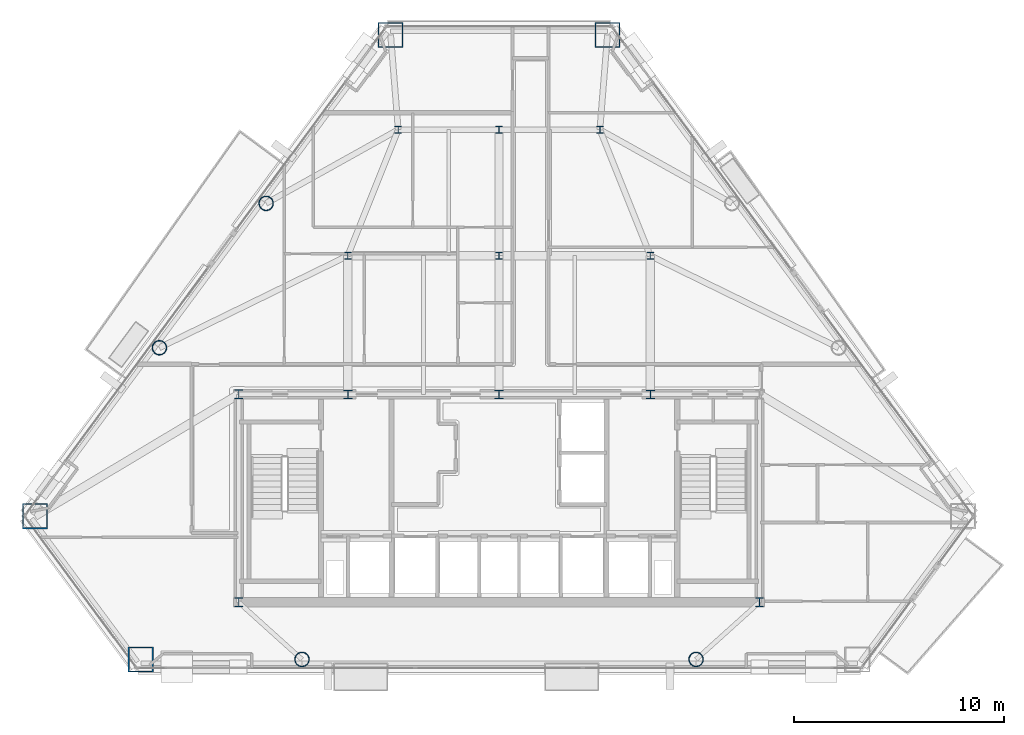
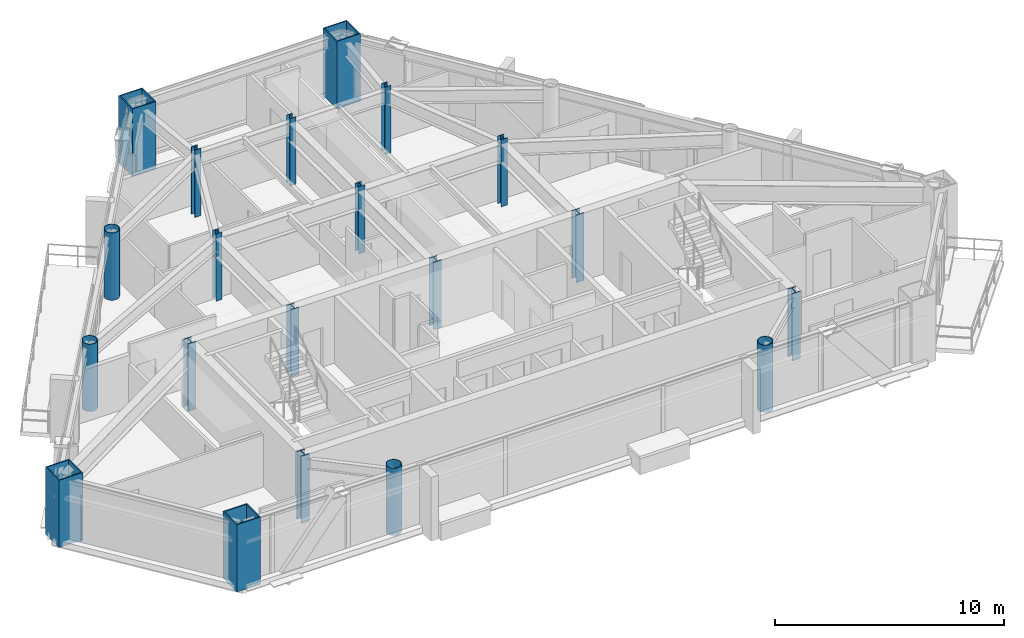
# One storey, part 1 of 13: 20 columns.
"""IFC4 building model written with IfcOpenShell, lengths in metres."""

from ifc_helpers import new_model, si_unit, direction, frame, origin, origin_2d, place, context, subcontext, project, spatial, hollow_rectangle, hollow_circle, i_section, extrude, material, material_profile, profile_set, type_object, element, save


model = new_model("IFC4")

# Units and contexts
model_context = context("Model", 3, precision=1e-05, world=origin(), true_north=direction((0.0, 1.0)))
body_context = subcontext(model_context, "Body", "Model", "MODEL_VIEW")
ifc_project = project(units=[si_unit("LENGTHUNIT", "METRE"), si_unit("AREAUNIT", "SQUARE_METRE"), si_unit("VOLUMEUNIT", "CUBIC_METRE"), si_unit("PLANEANGLEUNIT", "RADIAN"), si_unit("MASSUNIT", "GRAM", prefix="KILO")], contexts=[model_context])

# Site, building, storey
site_placement = place(None, origin())
site = spatial("IfcSite", under=ifc_project, at=site_placement, CompositionType="ELEMENT")
building_placement = place(site_placement, origin())
building = spatial("IfcBuilding", under=site, at=building_placement, Name="Talgorran Terracotta Tower", CompositionType="ELEMENT")
storey_placement = place(building_placement, frame((0.0, 0.0, 132.89990234375)))
storey = spatial("IfcBuildingStorey", under=building, at=storey_placement, Name="L34", CompositionType="ELEMENT", Elevation=132.89990234375)

# Columns
ifc_material_1 = material(Name="Steel S355 (300PLUS)", Category="steel")
ifc_material_profile_1 = material_profile(ifc_material_1, i_section(OverallWidth=0.311279296875, OverallDepth=0.3271484375, WebThickness=0.015625, FlangeThickness=0.02490234375, at=origin_2d()), Name="310UC158")
ifc_profile_set_1 = profile_set([ifc_material_profile_1], Name="Steel S355 (300PLUS)")
column_type_1 = type_object("IfcColumnType", Name="COL_310UC158", PredefinedType="COLUMN", material=ifc_profile_set_1)
for number, where, z_axis, x_axis, name in (
    (1, (-7.199951171875, 2.39990234375, 0.0), (0.0, 0.0, 1.0), (1.0, 0.0, 0.0), "L34 Interior Gravity Column IC1"),
    (2, (0.0, 2.39990234375, 0.0), (0.0, 0.0, 1.0), (1.0, 0.0, 0.0), "L34 Interior Gravity Column IC2"),
    (3, (7.199951171875, 2.39990234375, 0.0), (0.0, 0.0, 1.0), (1.0, 0.0, 0.0), "L34 Interior Gravity Column IC3"),
    (4, (-4.800048828125, 8.39990234375, 0.0), (0.0, 0.0, 1.0), (1.0, 0.0, 0.0), "L34 Interior Gravity Column IC4"),
    (5, (0.0, 8.39990234375, 0.0), (0.0, 0.0, 1.0), (1.0, 0.0, 0.0), "L34 Interior Gravity Column IC5"),
    (6, (4.800048828125, 8.39990234375, 0.0), (0.0, 0.0, 1.0), (1.0, 0.0, 0.0), "L34 Interior Gravity Column IC6"),
):
    element("IfcColumn", number, at=place(storey_placement, frame(where, z_axis=z_axis, x_axis=x_axis)), inside=storey, type_object=column_type_1, Name=name, PredefinedType="COLUMN", context=body_context, shape_type="SweptSolid", body=[
        extrude(i_section(OverallWidth=0.311279296875, OverallDepth=0.3271484375, WebThickness=0.015625, FlangeThickness=0.02490234375, at=origin_2d()), origin(), (0.0, 0.0, 1.0), 3.60009765625),
    ])
ifc_material_profile_2 = material_profile(ifc_material_1, i_section(OverallWidth=0.39990234375, OverallDepth=0.43994140625, WebThickness=0.028076171875, FlangeThickness=0.0400390625, at=origin_2d()), Name="400WC328")
ifc_profile_set_2 = profile_set([ifc_material_profile_2], Name="Steel S355 (300PLUS)")
column_type_2 = type_object("IfcColumnType", Name="COL_400WC328", PredefinedType="COLUMN", material=ifc_profile_set_2)
for number, where, z_axis, x_axis, name in (
    (7, (-12.39990234375, -14.10009765625, 0.0), (0.0, 0.0, 1.0), (1.0, 0.0, 0.0), "L34 Core Boundary Column CC1"),
    (8, (12.39990234375, -14.10009765625, 0.0), (0.0, 0.0, 1.0), (1.0, 0.0, 0.0), "L34 Core Boundary Column CC2"),
    (9, (-12.39990234375, -4.199951171875, 0.0), (0.0, 0.0, 1.0), (1.0, 0.0, 0.0), "L34 Core Boundary Column CC4"),
):
    element("IfcColumn", number, at=place(storey_placement, frame(where, z_axis=z_axis, x_axis=x_axis)), inside=storey, type_object=column_type_2, Name=name, PredefinedType="COLUMN", context=body_context, shape_type="SweptSolid", body=[
        extrude(i_section(OverallWidth=0.39990234375, OverallDepth=0.43994140625, WebThickness=0.028076171875, FlangeThickness=0.0400390625, at=origin_2d()), origin(), (0.0, 0.0, 1.0), 3.60009765625),
    ])
ifc_material_2 = material(Name="Steel Grade 350 (350L0)", Category="steel")
ifc_material_profile_3 = material_profile(ifc_material_2, hollow_rectangle(XDim=1.199951171875, YDim=1.199951171875, WallThickness=0.054931640625, at=origin_2d()), Name="CFT1200X1200X55")
ifc_profile_set_3 = profile_set([ifc_material_profile_3], Name="Steel Grade 350 (350L0)")
column_type_3 = type_object("IfcColumnType", Name="COL_CFT_1200", PredefinedType="COLUMN", material=ifc_profile_set_3)
for number, where, z_axis, x_axis, name in (
    (10, (-22.09619140625, -10.000244140625, 0.0), (0.0, 0.0, 1.0), (1.0, 0.0, 0.0), "L34 Corner CFT Mega-Column MC1"),
    (11, (-17.056884765625, -16.81884765625, 0.0), (0.0, 0.0, 1.0), (1.0, 0.0, 0.0), "L34 Corner CFT Mega-Column MC2"),
    (12, (5.16162109375, 12.91357421875, 0.0), (0.0, 0.0, 1.0), (1.0, 0.0, 0.0), "L34 Corner CFT Mega-Column MC5"),
    (13, (-5.16162109375, 12.91357421875, 0.0), (0.0, 0.0, 1.0), (1.0, 0.0, 0.0), "L34 Corner CFT Mega-Column MC6"),
):
    element("IfcColumn", number, at=place(storey_placement, frame(where, z_axis=z_axis, x_axis=x_axis)), inside=storey, type_object=column_type_3, Name=name, PredefinedType="COLUMN", context=body_context, shape_type="SweptSolid", body=[
        extrude(hollow_rectangle(XDim=1.199951171875, YDim=1.199951171875, WallThickness=0.054931640625, at=origin_2d()), origin(), (0.0, 0.0, 1.0), 3.60009765625),
    ])
ifc_material_profile_4 = material_profile(ifc_material_2, hollow_circle(Radius=0.35009765625, WallThickness=0.030029296875, at=origin_2d()), Name="CHS700X30")
ifc_profile_set_4 = profile_set([ifc_material_profile_4], Name="Steel Grade 350 (350L0)")
column_type_4 = type_object("IfcColumnType", Name="COL_CHS_700", PredefinedType="COLUMN", material=ifc_profile_set_4)
for number, where, z_axis, x_axis, name in (
    (14, (-9.381103515625, -16.81884765625, 0.0), (0.0, 0.0, 1.0), (1.0, 0.0, 0.0), "L34 Facet Perimeter Column FC1"),
    (15, (9.381103515625, -16.81884765625, 0.0), (0.0, 0.0, 1.0), (1.0, 0.0, 0.0), "L34 Facet Perimeter Column FC2"),
    (16, (-11.088623046875, 4.893798828125, 0.0), (0.0, 0.0, 1.0), (1.0, 0.0, 0.0), "L34 Facet Perimeter Column FC5"),
    (17, (-16.169189453125, -1.98046875, 0.0), (0.0, 0.0, 1.0), (1.0, 0.0, 0.0), "L34 Facet Perimeter Column FC6"),
):
    element("IfcColumn", number, at=place(storey_placement, frame(where, z_axis=z_axis, x_axis=x_axis)), inside=storey, type_object=column_type_4, Name=name, PredefinedType="COLUMN", context=body_context, shape_type="SweptSolid", body=[
        extrude(hollow_circle(Radius=0.35009765625, WallThickness=0.030029296875, at=origin_2d()), origin(), (0.0, 0.0, 1.0), 3.60009765625),
    ])
ifc_material_profile_5 = material_profile(ifc_material_1, i_section(OverallWidth=0.405029296875, OverallDepth=0.4140625, WebThickness=0.02197265625, FlangeThickness=0.031982421875, at=origin_2d()), Name="400WC270")
ifc_profile_set_5 = profile_set([ifc_material_profile_5], Name="Steel S355 (300PLUS)")
column_type_5 = type_object("IfcColumnType", Name="COL_PIL_400WC270", PredefinedType="PILASTER", material=ifc_profile_set_5)
for number, where, z_axis, x_axis, name in (
    (18, (-7.199951171875, -4.199951171875, 0.0), (0.0, 0.0, 1.0), (1.0, 0.0, 0.0), "L34 Core Shear Pilaster CP1"),
    (19, (0.0, -4.199951171875, 0.0), (0.0, 0.0, 1.0), (1.0, 0.0, 0.0), "L34 Core Shear Pilaster CP2"),
    (20, (7.199951171875, -4.199951171875, 0.0), (0.0, 0.0, 1.0), (1.0, 0.0, 0.0), "L34 Core Shear Pilaster CP3"),
):
    element("IfcColumn", number, at=place(storey_placement, frame(where, z_axis=z_axis, x_axis=x_axis)), inside=storey, type_object=column_type_5, Name=name, PredefinedType="PILASTER", context=body_context, shape_type="SweptSolid", body=[
        extrude(i_section(OverallWidth=0.405029296875, OverallDepth=0.4140625, WebThickness=0.02197265625, FlangeThickness=0.031982421875, at=origin_2d()), origin(), (0.0, 0.0, 1.0), 3.60009765625),
    ])

save(model, "model.ifc")
